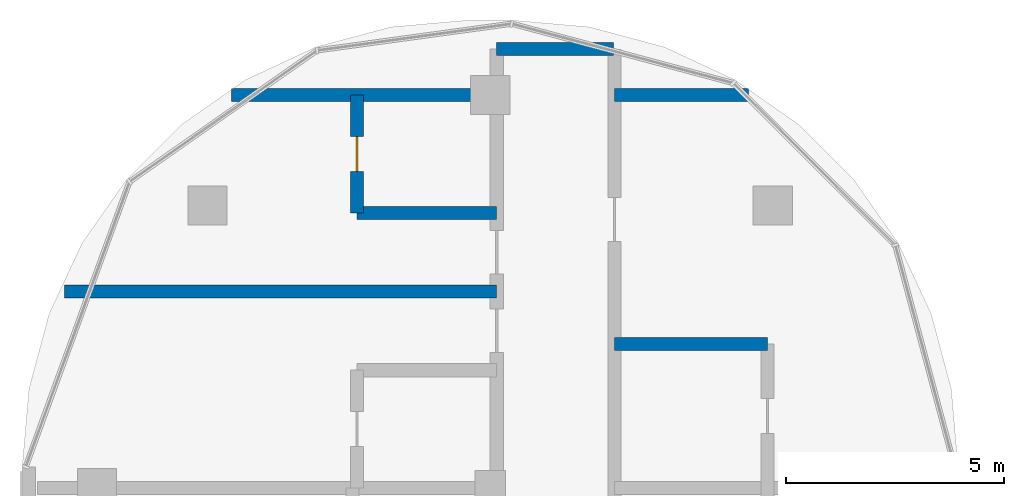
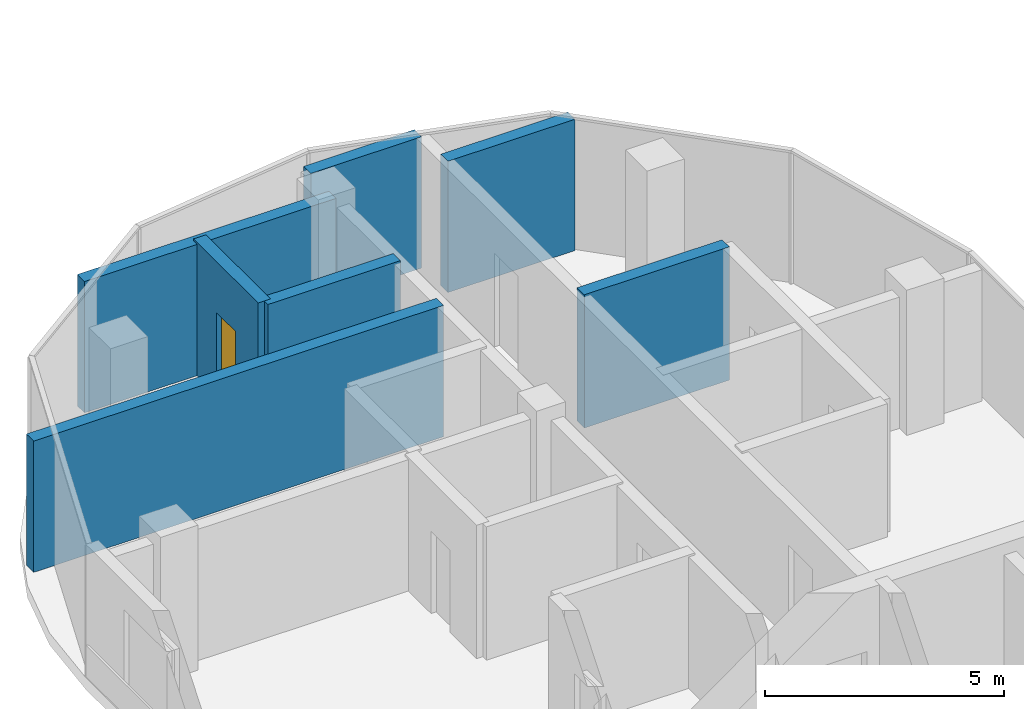
# One storey, part 13 of 19: 7 walls, 1 door, 1 opening.
"""IFC4 building model written with IfcOpenShell, lengths in metres."""

import ifcopenshell
import ifcopenshell.guid

model = None  # the IFC model being written
_history = None  # IfcOwnerHistory: only IFC2X3 demands one
_inside = {}  # id of a spatial element -> (the spatial element, [elements in it])
_under = {}  # id of a project, library or spatial element -> (it, [spatial elements below it])
_declared = {}  # id of a project -> (the project, [libraries it declares])
_typed = {}  # id of a type object -> (the type object, [elements of that type])
_made_of = {}  # id of a material, layer set ... -> (it, [elements and type objects made of it])


def new_model(schema):
    """Start an empty IFC model of exactly this schema.

    Asked for "IFC4X3", IfcOpenShell would pick the latest addendum, in which some entities
    have other attributes; the version numbers below select the first issue.
    IFC2X3 requires an IfcOwnerHistory on every rooted entity: one is made here for all.
    """
    global model, _history
    if schema == "IFC4X3":
        model = ifcopenshell.file(schema_version=(4, 3, 0, 0))
    else:
        model = ifcopenshell.file(schema=schema)
    _inside.clear()
    _under.clear()
    _declared.clear()
    _typed.clear()
    _made_of.clear()
    _history = None
    if model.schema == "IFC2X3":
        org = make("IfcOrganization", Name="unknown")
        user = make(
            "IfcPersonAndOrganization",
            ThePerson=make("IfcPerson", FamilyName="unknown"),
            TheOrganization=org,
        )
        app = make(
            "IfcApplication",
            ApplicationDeveloper=org,
            Version="unknown",
            ApplicationFullName="unknown",
            ApplicationIdentifier="unknown",
        )
        _history = make(
            "IfcOwnerHistory",
            OwningUser=user,
            OwningApplication=app,
            ChangeAction="ADDED",
            CreationDate=0,
        )
    return model


def make(cls, **values):
    """One entity of the class cls with the attributes given. An attribute that is None is left unset."""
    return model.create_entity(
        cls, **{name: value for name, value in values.items() if value is not None}
    )


def rooted(cls, **values):
    """An entity with a GlobalId (a new one), such as an element, a storey or a relation."""
    return make(cls, GlobalId=ifcopenshell.guid.new(), OwnerHistory=_history, **values)


def si_unit(unit_type, name, prefix=None):
    """IfcSIUnit, for example si_unit("LENGTHUNIT", "METRE", prefix="MILLI")."""
    return make("IfcSIUnit", UnitType=unit_type, Prefix=prefix, Name=name)


def assignment(units):
    """IfcUnitAssignment: the units of a project."""
    return None if units is None else make("IfcUnitAssignment", Units=units)


def point(xyz):
    """IfcCartesianPoint."""
    return None if xyz is None else make("IfcCartesianPoint", Coordinates=xyz)


def direction(xyz):
    """IfcDirection."""
    return None if xyz is None else make("IfcDirection", DirectionRatios=xyz)


def frame(location, z_axis=None, x_axis=None):
    """IfcAxis2Placement3D, a coordinate frame: its origin and axes. An axis left out is left unset."""
    return make(
        "IfcAxis2Placement3D",
        Location=point(location),
        Axis=direction(z_axis),
        RefDirection=direction(x_axis),
    )


def frame_2d(location, x_axis=None):
    """IfcAxis2Placement2D, a coordinate frame in the plane: its origin and x axis."""
    return make(
        "IfcAxis2Placement2D", Location=point(location), RefDirection=direction(x_axis)
    )


def origin():
    """The frame at (0, 0, 0) with its axes left unset."""
    return frame((0.0, 0.0, 0.0))


def place(relative_to, where):
    """IfcLocalPlacement: puts the frame where relative to a parent placement (None: the world)."""
    return make(
        "IfcLocalPlacement", PlacementRelTo=relative_to, RelativePlacement=where
    )


def context(
    kind, dimensions, precision=None, world=None, true_north=None, identifier=None
):
    """IfcGeometricRepresentationContext, for example the 3D "Model" context."""
    return make(
        "IfcGeometricRepresentationContext",
        ContextIdentifier=identifier,
        ContextType=kind,
        CoordinateSpaceDimension=dimensions,
        Precision=precision,
        WorldCoordinateSystem=world,
        TrueNorth=true_north,
    )


def subcontext(parent, identifier, kind, view, scale=None):
    """IfcGeometricRepresentationSubContext, for example "Body" below "Model"."""
    return make(
        "IfcGeometricRepresentationSubContext",
        ContextIdentifier=identifier,
        ContextType=kind,
        ParentContext=parent,
        TargetScale=scale,
        TargetView=view,
    )


def project(units=None, contexts=None):
    """IfcProject with its units and contexts."""
    return rooted(
        "IfcProject",
        Name="project",
        RepresentationContexts=contexts,
        UnitsInContext=assignment(units),
    )


def spatial(cls, under=None, at=None, **own):
    """A site, building, storey or space (cls), placed at a placement, below another one or the project."""
    s = rooted(cls, ObjectPlacement=at, **own)
    if under is not None:
        _under.setdefault(under.id(), (under, []))[1].append(s)
    return s


def profile(cls, at=None, kind="AREA", **sizes):
    """A parametric profile (cls). Its sizes go by their IFC names, for example OverallWidth=200.0."""
    return make(cls, ProfileType=kind, Position=at, **sizes)


def rectangle(**sizes):
    """IfcRectangleProfileDef."""
    return profile("IfcRectangleProfileDef", **sizes)


def extrude(swept, where, along, depth):
    """IfcExtrudedAreaSolid: the profile swept, set in the frame where, extruded along a direction by depth."""
    return make(
        "IfcExtrudedAreaSolid",
        SweptArea=swept,
        Position=where,
        ExtrudedDirection=direction(along),
        Depth=depth,
    )


def shape(context_of_items, identifier, shape_type, items):
    """IfcShapeRepresentation: the items that make up one representation, for example the "Body"."""
    return make(
        "IfcShapeRepresentation",
        ContextOfItems=context_of_items,
        RepresentationIdentifier=identifier,
        RepresentationType=shape_type,
        Items=items,
    )


def material(Name=None, Category=None):
    """IfcMaterial."""
    return make("IfcMaterial", Name=Name, Category=Category)


def layer(
    of_material, thickness, ventilated=None, Name=None, Category=None, Priority=None
):
    """IfcMaterialLayer: one layer of a wall or slab, of a material (None: an air gap)."""
    return make(
        "IfcMaterialLayer",
        Material=of_material,
        LayerThickness=thickness,
        IsVentilated=ventilated,
        Name=Name,
        Category=Category,
        Priority=Priority,
    )


def layer_set(layers, Name=None):
    """IfcMaterialLayerSet."""
    return make("IfcMaterialLayerSet", MaterialLayers=layers, LayerSetName=Name)


def made_of(thing, what):
    """Note that an element or type object is made of a material, layer set ...; save() writes the relation."""
    if what is not None:
        _made_of.setdefault(what.id(), (what, []))[1].append(thing)
    return thing


def type_object(cls, material=None, **own):
    """A type object (cls), such as IfcWallType, which elements share."""
    return made_of(rooted(cls, **own), material)


def element(
    cls,
    number,
    at=None,
    inside=None,
    cuts=None,
    type_object=None,
    material=None,
    context=None,
    identifier="Body",
    shape_type=None,
    held_by="IfcProductDefinitionShape",
    body=None,
    shapes=None,
    **own,
):
    """One element of the class cls, such as IfcWall. Its Tag is "e" and its number.

    at: its placement. inside: the storey or other place that contains it. cuts: it is an
    opening in that element (IfcRelVoidsElement). A single representation is given by context,
    identifier, shape_type and body (its items); several are given by shapes. held_by: the class
    of the entity that holds the representations. save() writes the other relations.
    """
    e = rooted(cls, Tag="e%d" % number, ObjectPlacement=at, **own)
    if body is not None:
        shapes = [shape(context, identifier, shape_type, body)]
    if shapes is not None:
        e.Representation = make(held_by, Representations=shapes)
    if inside is not None:
        _inside.setdefault(inside.id(), (inside, []))[1].append(e)
    if cuts is not None:
        rooted(
            "IfcRelVoidsElement", RelatingBuildingElement=cuts, RelatedOpeningElement=e
        )
    if type_object is not None:
        _typed.setdefault(type_object.id(), (type_object, []))[1].append(e)
    return made_of(e, material)


def fill(opening, filler):
    """IfcRelFillsElement: the door or window that sits in an opening."""
    return rooted(
        "IfcRelFillsElement",
        RelatingOpeningElement=opening,
        RelatedBuildingElement=filler,
    )


def aggregate(whole, parts):
    """IfcRelAggregates: a whole, such as a stair, and the parts it consists of."""
    return rooted("IfcRelAggregates", RelatingObject=whole, RelatedObjects=parts)


def save(model, path):
    """Write the relations noted so far, then the file.

    IfcRelAggregates (storeys below a building ...), IfcRelContainedInSpatialStructure (elements
    in a storey), IfcRelDefinesByType, IfcRelAssociatesMaterial and IfcRelDeclares: one each for
    every whole, place, type object, material and project.
    """
    for whole, parts in _under.values():
        aggregate(whole, parts)
    for where, things in _inside.values():
        rooted(
            "IfcRelContainedInSpatialStructure",
            RelatedElements=things,
            RelatingStructure=where,
        )
    for kind, things in _typed.values():
        rooted("IfcRelDefinesByType", RelatedObjects=things, RelatingType=kind)
    for what, things in _made_of.values():
        rooted("IfcRelAssociatesMaterial", RelatedObjects=things, RelatingMaterial=what)
    for by, libraries in _declared.values():
        rooted("IfcRelDeclares", RelatingContext=by, RelatedDefinitions=libraries)
    model.write(path)


model = new_model("IFC4")

# Units and contexts
model_context = context("Model", 3, precision=1e-05, world=origin(), true_north=direction((0.0, 1.0)))
body_context = subcontext(model_context, "Body", "Model", "MODEL_VIEW")
ifc_project = project(units=[si_unit("LENGTHUNIT", "METRE"), si_unit("AREAUNIT", "SQUARE_METRE"), si_unit("VOLUMEUNIT", "CUBIC_METRE"), si_unit("PLANEANGLEUNIT", "RADIAN"), si_unit("MASSUNIT", "GRAM", prefix="KILO")], contexts=[model_context])

# Site, building, storey
site_placement = place(None, origin())
site = spatial("IfcSite", under=ifc_project, at=site_placement, CompositionType="ELEMENT")
building_placement = place(site_placement, origin())
building = spatial("IfcBuilding", under=site, at=building_placement, Name="Ogive Portal Towers", CompositionType="ELEMENT")
storey_placement = place(building_placement, frame((0.0, 0.0, 203.199951171875)))
storey = spatial("IfcBuildingStorey", under=building, at=storey_placement, Name="L50", CompositionType="ELEMENT", Elevation=203.199951171875)

# Walls
ifc_material_1 = material(Name="Gypsum board partition on steel studs", Category="steel")
ifc_layer = layer(ifc_material_1, 0.300048828125)
ifc_layer_set = layer_set([ifc_layer], Name="WT-PART-300-EI 60")
wall_type = type_object("IfcWallType", Name="WT-PART-300-EI 60", PredefinedType="PARTITIONING", material=ifc_layer_set)
wall_1_placement = place(storey_placement, frame((43.35009765625, 51.800048828125, 0.0), z_axis=(0.0, 0.0, 1.0), x_axis=(1.0, 0.0, 0.0)))
element("IfcWall", 1, at=wall_1_placement, inside=storey, type_object=wall_type, Name="Wall L50:w020", PredefinedType="PARTITIONING", context=body_context, shape_type="SweptSolid", body=[
    extrude(rectangle(XDim=3.5, YDim=0.300048828125, at=frame_2d((1.75, 0.0))), origin(), (0.0, 0.0, 1.0), 3.400146484375),
])
wall_2_placement = place(storey_placement, frame((30.757080078125, 53.0, 0.0), z_axis=(0.0, 0.0, 1.0), x_axis=(1.0, 0.0, 0.0)))
element("IfcWall", 2, at=wall_2_placement, inside=storey, type_object=wall_type, Name="Wall L50:w021", PredefinedType="PARTITIONING", context=body_context, shape_type="SweptSolid", body=[
    extrude(rectangle(XDim=9.892822265625, YDim=0.300048828125, at=frame_2d((4.9462890625, 0.0))), origin(), (0.0, 0.0, 1.0), 3.35009765625),
])
wall_3_placement = place(storey_placement, frame((37.449951171875, 54.800048828125, 0.0), z_axis=(0.0, 0.0, 1.0), x_axis=(1.0, 0.0, 0.0)))
element("IfcWall", 3, at=wall_3_placement, inside=storey, type_object=wall_type, Name="Wall L50:w022", PredefinedType="PARTITIONING", context=body_context, shape_type="SweptSolid", body=[
    extrude(rectangle(XDim=3.199951171875, YDim=0.300048828125, at=frame_2d((1.60009765625, 0.0))), origin(), (0.0, 0.0, 1.0), 3.400146484375),
])
wall_4_placement = place(storey_placement, frame((34.58203125, 57.5, 0.0), z_axis=(0.0, 0.0, 1.0), x_axis=(1.0, 0.0, 0.0)))
element("IfcWall", 4, at=wall_4_placement, inside=storey, type_object=wall_type, Name="Wall L50:w023", PredefinedType="PARTITIONING", context=body_context, shape_type="SweptSolid", body=[
    extrude(rectangle(XDim=6.06787109375, YDim=0.300048828125, at=frame_2d((3.033935546875, 0.0))), origin(), (0.0, 0.0, 1.0), 3.35009765625),
])
wall_5_placement = place(storey_placement, frame((43.35009765625, 57.5, 0.0), z_axis=(0.0, 0.0, 1.0), x_axis=(1.0, 0.0, 0.0)))
element("IfcWall", 5, at=wall_5_placement, inside=storey, type_object=wall_type, Name="Wall L50:w024", PredefinedType="PARTITIONING", context=body_context, shape_type="SweptSolid", body=[
    extrude(rectangle(XDim=3.06787109375, YDim=0.300048828125, at=frame_2d((1.533935546875, 0.0))), origin(), (0.0, 0.0, 1.0), 3.35009765625),
])
wall_6_placement = place(storey_placement, frame((40.64990234375, 58.550048828125, 0.0), z_axis=(0.0, 0.0, 1.0), x_axis=(1.0, 0.0, 0.0)))
element("IfcWall", 6, at=wall_6_placement, inside=storey, type_object=wall_type, Name="Wall L50:w025", PredefinedType="PARTITIONING", context=body_context, shape_type="SweptSolid", body=[
    extrude(rectangle(XDim=2.674072265625, YDim=0.300048828125, at=frame_2d((1.3369140625, 0.0))), origin(), (0.0, 0.0, 1.0), 3.35009765625),
])

# Wall, opening, door
wall_7_placement = place(storey_placement, frame((37.449951171875, 54.800048828125, 0.0), z_axis=(0.0, 0.0, 1.0), x_axis=(0.0, 1.0, 0.0)))
wall_7 = element("IfcWall", 7, at=wall_7_placement, inside=storey, type_object=wall_type, Name="Wall L50:w029", PredefinedType="PARTITIONING", context=body_context, shape_type="SweptSolid", body=[
    extrude(rectangle(XDim=2.699951171875, YDim=0.300048828125, at=frame_2d((1.35009765625, 0.0))), origin(), (0.0, 0.0, 1.0), 3.400146484375),
])
opening_placement = place(wall_7_placement, frame((0.949951171875, 0.0, 0.0)))
opening = element("IfcOpeningElement", 8, at=opening_placement, cuts=wall_7, Name="Opening D22-051", PredefinedType="OPENING", context=body_context, shape_type="SweptSolid", body=[
    extrude(rectangle(XDim=0.800048828125, YDim=2.10009765625, at=frame_2d((0.39990234375, 1.050048828125))), frame((0.0, 0.16015625, 0.0), z_axis=(0.0, -1.0, 0.0), x_axis=(1.0, 0.0, 0.0)), (0.0, 0.0, 1.0), 0.320068359375),
])
ifc_material_2 = material(Name="Steel fire door", Category="steel")
door_type = type_object("IfcDoorType", Name="DT-BATH-800x2100-FD60S", OperationType="SINGLE_SWING_LEFT", PredefinedType="DOOR", material=ifc_material_2)
door_placement = place(opening_placement, origin())
door = element("IfcDoor", 9, at=door_placement, inside=storey, type_object=door_type, Name="Door D22-051", OperationType="SINGLE_SWING_RIGHT", OverallHeight=2.10009765625, OverallWidth=0.800048828125, PredefinedType="DOOR", context=body_context, shape_type="SweptSolid", body=[
    extrude(rectangle(XDim=0.800048828125, YDim=2.10009765625, at=frame_2d((0.39990234375, 1.050048828125))), frame((0.0, 0.02490234375, 0.0), z_axis=(0.0, -1.0, 0.0), x_axis=(1.0, 0.0, 0.0)), (0.0, 0.0, 1.0), 0.050048828125),
])
fill(opening, door)

save(model, "model.ifc")
